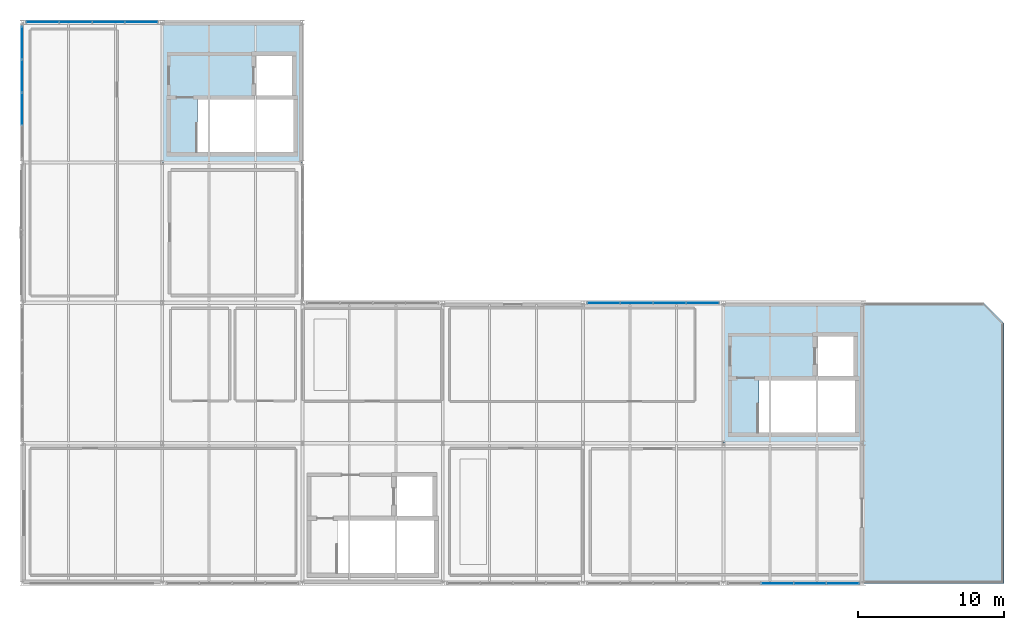
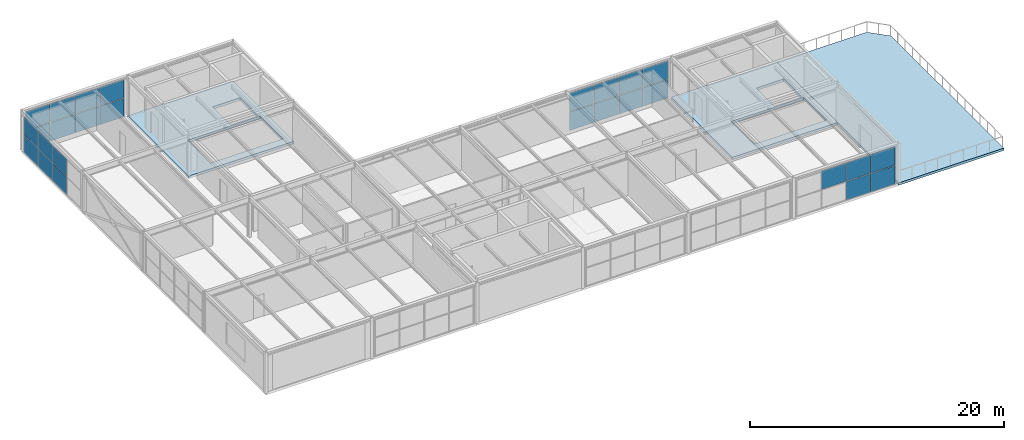
# One storey, part 29 of 33: 27 plates, 3 slabs, 4 elements without a shape of their own.
"""IFC4 building model written with IfcOpenShell, lengths in metres."""

from ifc_helpers import new_model, si_unit, direction, frame, origin, origin_2d, place, context, subcontext, project, spatial, polyline, rectangle, outline, extrude, material, layer, layer_set, type_object, element, aggregate, save


model = new_model("IFC4")

# Units and contexts
model_context = context("Model", 3, precision=1e-05, world=origin(), true_north=direction((0.0, 1.0)))
body_context = subcontext(model_context, "Body", "Model", "MODEL_VIEW")
ifc_project = project(units=[si_unit("LENGTHUNIT", "METRE"), si_unit("AREAUNIT", "SQUARE_METRE"), si_unit("VOLUMEUNIT", "CUBIC_METRE"), si_unit("PLANEANGLEUNIT", "RADIAN"), si_unit("MASSUNIT", "GRAM", prefix="KILO")], contexts=[model_context])

# Site, building, storey
site_placement = place(None, origin())
site = spatial("IfcSite", under=ifc_project, at=site_placement, CompositionType="ELEMENT")
building_placement = place(site_placement, origin())
building = spatial("IfcBuilding", under=site, at=building_placement, Name="Coralgate Yard Interchange", CompositionType="ELEMENT")
storey_placement = place(building_placement, frame((0.0, 0.0, 23.10009765625)))
storey = spatial("IfcBuildingStorey", under=building, at=storey_placement, Name="L05", CompositionType="ELEMENT", Elevation=23.10009765625)

# Curtain wall, plates
ifc_material_1 = material(Name="Anodised coastal aluminium and solar-control low-E glass", Category="aluminium")
curtain_wall_type = type_object("IfcCurtainWallType", Name="CW-CW-L05-A", PredefinedType="NOTDEFINED", material=ifc_material_1)
curtain_wall_1_placement = place(storey_placement, origin())
curtain_wall_1 = element("IfcCurtainWall", 1, at=curtain_wall_1_placement, inside=storey, type_object=curtain_wall_type, Name="L05 unitised curtain wall CW-L05-W-00-03", PredefinedType="NOTDEFINED")
ifc_material_2 = material(Name="Solar-control double-glazed low-E glass unit", Category="glass")
ifc_layer_1 = layer(ifc_material_2, 0.028076171875)
ifc_layer_set_1 = layer_set([ifc_layer_1], Name="Solar-control double-glazed low-E glass unit")
plate_type = type_object("IfcPlateType", Name="PLT-CP-28", PredefinedType="CURTAIN_PANEL", material=ifc_layer_set_1)
plate_1_placement = place(storey_placement, frame((0.0, 32.47509765625, 0.02490234375), z_axis=(0.0, 0.0, 1.0), x_axis=(0.0, 1.0, 0.0)))
plate_1 = element("IfcPlate", 2, at=plate_1_placement, type_object=plate_type, Name="CW-L05-W-00-03 solar-control glazing panel 2-1", PredefinedType="CURTAIN_PANEL", context=body_context, shape_type="SweptSolid", body=[
    extrude(rectangle(XDim=2.199951171875, YDim=0.028076171875, at=origin_2d()), origin(), (0.0, 0.0, 1.0), 1.681396484375),
])
plate_2_placement = place(storey_placement, frame((0.0, 32.47509765625, 1.75634765625), z_axis=(0.0, 0.0, 1.0), x_axis=(0.0, 1.0, 0.0)))
plate_2 = element("IfcPlate", 3, at=plate_2_placement, type_object=plate_type, Name="CW-L05-W-00-03 solar-control glazing panel 2-2", PredefinedType="CURTAIN_PANEL", context=body_context, shape_type="SweptSolid", body=[
    extrude(rectangle(XDim=2.199951171875, YDim=0.028076171875, at=origin_2d()), origin(), (0.0, 0.0, 1.0), 1.681396484375),
])
plate_3_placement = place(storey_placement, frame((0.0, 34.72509765625, 0.02490234375), z_axis=(0.0, 0.0, 1.0), x_axis=(0.0, 1.0, 0.0)))
plate_3 = element("IfcPlate", 4, at=plate_3_placement, type_object=plate_type, Name="CW-L05-W-00-03 solar-control glazing panel 3-1", PredefinedType="CURTAIN_PANEL", context=body_context, shape_type="SweptSolid", body=[
    extrude(rectangle(XDim=2.199951171875, YDim=0.028076171875, at=origin_2d()), origin(), (0.0, 0.0, 1.0), 1.681396484375),
])
plate_4_placement = place(storey_placement, frame((0.0, 34.72509765625, 1.75634765625), z_axis=(0.0, 0.0, 1.0), x_axis=(0.0, 1.0, 0.0)))
plate_4 = element("IfcPlate", 5, at=plate_4_placement, type_object=plate_type, Name="CW-L05-W-00-03 solar-control glazing panel 3-2", PredefinedType="CURTAIN_PANEL", context=body_context, shape_type="SweptSolid", body=[
    extrude(rectangle(XDim=2.199951171875, YDim=0.028076171875, at=origin_2d()), origin(), (0.0, 0.0, 1.0), 1.681396484375),
])
plate_5_placement = place(storey_placement, frame((0.0, 36.97509765625, 0.02490234375), z_axis=(0.0, 0.0, 1.0), x_axis=(0.0, 1.0, 0.0)))
plate_5 = element("IfcPlate", 6, at=plate_5_placement, type_object=plate_type, Name="CW-L05-W-00-03 solar-control glazing panel 4-1", PredefinedType="CURTAIN_PANEL", context=body_context, shape_type="SweptSolid", body=[
    extrude(rectangle(XDim=2.199951171875, YDim=0.028076171875, at=origin_2d()), origin(), (0.0, 0.0, 1.0), 1.681396484375),
])
plate_6_placement = place(storey_placement, frame((0.0, 36.97509765625, 1.75634765625), z_axis=(0.0, 0.0, 1.0), x_axis=(0.0, 1.0, 0.0)))
plate_6 = element("IfcPlate", 7, at=plate_6_placement, type_object=plate_type, Name="CW-L05-W-00-03 solar-control glazing panel 4-2", PredefinedType="CURTAIN_PANEL", context=body_context, shape_type="SweptSolid", body=[
    extrude(rectangle(XDim=2.199951171875, YDim=0.028076171875, at=origin_2d()), origin(), (0.0, 0.0, 1.0), 1.681396484375),
])
aggregate(curtain_wall_1, [plate_1, plate_2, plate_3, plate_4, plate_5, plate_6])

curtain_wall_2_placement = place(storey_placement, origin())
curtain_wall_2 = element("IfcCurtainWall", 8, at=curtain_wall_2_placement, inside=storey, type_object=curtain_wall_type, Name="L05 unitised curtain wall CW-L05-N-00-03", PredefinedType="NOTDEFINED")
plate_7_placement = place(storey_placement, frame((1.425048828125, 38.39990234375, 0.02490234375), z_axis=(0.0, 0.0, 1.0), x_axis=(1.0, 0.0, 0.0)))
plate_7 = element("IfcPlate", 9, at=plate_7_placement, type_object=plate_type, Name="CW-L05-N-00-03 solar-control glazing panel 1-1", PredefinedType="CURTAIN_PANEL", context=body_context, shape_type="SweptSolid", body=[
    extrude(rectangle(XDim=2.199951171875, YDim=0.028076171875, at=origin_2d()), origin(), (0.0, 0.0, 1.0), 1.764892578125),
])
plate_8_placement = place(storey_placement, frame((1.425048828125, 38.39990234375, 1.83984375), z_axis=(0.0, 0.0, 1.0), x_axis=(1.0, 0.0, 0.0)))
plate_8 = element("IfcPlate", 10, at=plate_8_placement, type_object=plate_type, Name="CW-L05-N-00-03 solar-control glazing panel 1-2", PredefinedType="CURTAIN_PANEL", context=body_context, shape_type="SweptSolid", body=[
    extrude(rectangle(XDim=2.199951171875, YDim=0.028076171875, at=origin_2d()), origin(), (0.0, 0.0, 1.0), 1.764892578125),
])
plate_9_placement = place(storey_placement, frame((3.675048828125, 38.39990234375, 0.02490234375), z_axis=(0.0, 0.0, 1.0), x_axis=(1.0, 0.0, 0.0)))
plate_9 = element("IfcPlate", 11, at=plate_9_placement, type_object=plate_type, Name="CW-L05-N-00-03 solar-control glazing panel 2-1", PredefinedType="CURTAIN_PANEL", context=body_context, shape_type="SweptSolid", body=[
    extrude(rectangle(XDim=2.199951171875, YDim=0.028076171875, at=origin_2d()), origin(), (0.0, 0.0, 1.0), 1.764892578125),
])
plate_10_placement = place(storey_placement, frame((3.675048828125, 38.39990234375, 1.83984375), z_axis=(0.0, 0.0, 1.0), x_axis=(1.0, 0.0, 0.0)))
plate_10 = element("IfcPlate", 12, at=plate_10_placement, type_object=plate_type, Name="CW-L05-N-00-03 solar-control glazing panel 2-2", PredefinedType="CURTAIN_PANEL", context=body_context, shape_type="SweptSolid", body=[
    extrude(rectangle(XDim=2.199951171875, YDim=0.028076171875, at=origin_2d()), origin(), (0.0, 0.0, 1.0), 1.764892578125),
])
plate_11_placement = place(storey_placement, frame((5.925048828125, 38.39990234375, 0.02490234375), z_axis=(0.0, 0.0, 1.0), x_axis=(1.0, 0.0, 0.0)))
plate_11 = element("IfcPlate", 13, at=plate_11_placement, type_object=plate_type, Name="CW-L05-N-00-03 solar-control glazing panel 3-1", PredefinedType="CURTAIN_PANEL", context=body_context, shape_type="SweptSolid", body=[
    extrude(rectangle(XDim=2.199951171875, YDim=0.028076171875, at=origin_2d()), origin(), (0.0, 0.0, 1.0), 1.764892578125),
])
plate_12_placement = place(storey_placement, frame((5.925048828125, 38.39990234375, 1.83984375), z_axis=(0.0, 0.0, 1.0), x_axis=(1.0, 0.0, 0.0)))
plate_12 = element("IfcPlate", 14, at=plate_12_placement, type_object=plate_type, Name="CW-L05-N-00-03 solar-control glazing panel 3-2", PredefinedType="CURTAIN_PANEL", context=body_context, shape_type="SweptSolid", body=[
    extrude(rectangle(XDim=2.199951171875, YDim=0.028076171875, at=origin_2d()), origin(), (0.0, 0.0, 1.0), 1.764892578125),
])
plate_13_placement = place(storey_placement, frame((8.175048828125, 38.39990234375, 0.02490234375), z_axis=(0.0, 0.0, 1.0), x_axis=(1.0, 0.0, 0.0)))
plate_13 = element("IfcPlate", 15, at=plate_13_placement, type_object=plate_type, Name="CW-L05-N-00-03 solar-control glazing panel 4-1", PredefinedType="CURTAIN_PANEL", context=body_context, shape_type="SweptSolid", body=[
    extrude(rectangle(XDim=2.199951171875, YDim=0.028076171875, at=origin_2d()), origin(), (0.0, 0.0, 1.0), 1.764892578125),
])
plate_14_placement = place(storey_placement, frame((8.175048828125, 38.39990234375, 1.83984375), z_axis=(0.0, 0.0, 1.0), x_axis=(1.0, 0.0, 0.0)))
plate_14 = element("IfcPlate", 16, at=plate_14_placement, type_object=plate_type, Name="CW-L05-N-00-03 solar-control glazing panel 4-2", PredefinedType="CURTAIN_PANEL", context=body_context, shape_type="SweptSolid", body=[
    extrude(rectangle(XDim=2.199951171875, YDim=0.028076171875, at=origin_2d()), origin(), (0.0, 0.0, 1.0), 1.764892578125),
])
aggregate(curtain_wall_2, [plate_7, plate_8, plate_9, plate_10, plate_11, plate_12, plate_13, plate_14])

curtain_wall_3_placement = place(storey_placement, origin())
curtain_wall_3 = element("IfcCurtainWall", 17, at=curtain_wall_3_placement, inside=storey, type_object=curtain_wall_type, Name="L05 unitised curtain wall CW-L05-N-04-01", PredefinedType="NOTDEFINED")
plate_15_placement = place(storey_placement, frame((39.824951171875, 19.199951171875, 0.02490234375), z_axis=(0.0, 0.0, 1.0), x_axis=(1.0, 0.0, 0.0)))
plate_15 = element("IfcPlate", 18, at=plate_15_placement, type_object=plate_type, Name="CW-L05-N-04-01 solar-control glazing panel 1-1", PredefinedType="CURTAIN_PANEL", context=body_context, shape_type="SweptSolid", body=[
    extrude(rectangle(XDim=2.199951171875, YDim=0.028076171875, at=origin_2d()), origin(), (0.0, 0.0, 1.0), 1.764892578125),
])
plate_16_placement = place(storey_placement, frame((39.824951171875, 19.199951171875, 1.83984375), z_axis=(0.0, 0.0, 1.0), x_axis=(1.0, 0.0, 0.0)))
plate_16 = element("IfcPlate", 19, at=plate_16_placement, type_object=plate_type, Name="CW-L05-N-04-01 solar-control glazing panel 1-2", PredefinedType="CURTAIN_PANEL", context=body_context, shape_type="SweptSolid", body=[
    extrude(rectangle(XDim=2.199951171875, YDim=0.028076171875, at=origin_2d()), origin(), (0.0, 0.0, 1.0), 1.764892578125),
])
plate_17_placement = place(storey_placement, frame((42.074951171875, 19.199951171875, 0.02490234375), z_axis=(0.0, 0.0, 1.0), x_axis=(1.0, 0.0, 0.0)))
plate_17 = element("IfcPlate", 20, at=plate_17_placement, type_object=plate_type, Name="CW-L05-N-04-01 solar-control glazing panel 2-1", PredefinedType="CURTAIN_PANEL", context=body_context, shape_type="SweptSolid", body=[
    extrude(rectangle(XDim=2.199951171875, YDim=0.028076171875, at=origin_2d()), origin(), (0.0, 0.0, 1.0), 1.764892578125),
])
plate_18_placement = place(storey_placement, frame((42.074951171875, 19.199951171875, 1.83984375), z_axis=(0.0, 0.0, 1.0), x_axis=(1.0, 0.0, 0.0)))
plate_18 = element("IfcPlate", 21, at=plate_18_placement, type_object=plate_type, Name="CW-L05-N-04-01 solar-control glazing panel 2-2", PredefinedType="CURTAIN_PANEL", context=body_context, shape_type="SweptSolid", body=[
    extrude(rectangle(XDim=2.199951171875, YDim=0.028076171875, at=origin_2d()), origin(), (0.0, 0.0, 1.0), 1.764892578125),
])
plate_19_placement = place(storey_placement, frame((44.324951171875, 19.199951171875, 0.02490234375), z_axis=(0.0, 0.0, 1.0), x_axis=(1.0, 0.0, 0.0)))
plate_19 = element("IfcPlate", 22, at=plate_19_placement, type_object=plate_type, Name="CW-L05-N-04-01 solar-control glazing panel 3-1", PredefinedType="CURTAIN_PANEL", context=body_context, shape_type="SweptSolid", body=[
    extrude(rectangle(XDim=2.199951171875, YDim=0.028076171875, at=origin_2d()), origin(), (0.0, 0.0, 1.0), 1.764892578125),
])
plate_20_placement = place(storey_placement, frame((44.324951171875, 19.199951171875, 1.83984375), z_axis=(0.0, 0.0, 1.0), x_axis=(1.0, 0.0, 0.0)))
plate_20 = element("IfcPlate", 23, at=plate_20_placement, type_object=plate_type, Name="CW-L05-N-04-01 solar-control glazing panel 3-2", PredefinedType="CURTAIN_PANEL", context=body_context, shape_type="SweptSolid", body=[
    extrude(rectangle(XDim=2.199951171875, YDim=0.028076171875, at=origin_2d()), origin(), (0.0, 0.0, 1.0), 1.764892578125),
])
plate_21_placement = place(storey_placement, frame((46.574951171875, 19.199951171875, 0.02490234375), z_axis=(0.0, 0.0, 1.0), x_axis=(1.0, 0.0, 0.0)))
plate_21 = element("IfcPlate", 24, at=plate_21_placement, type_object=plate_type, Name="CW-L05-N-04-01 solar-control glazing panel 4-1", PredefinedType="CURTAIN_PANEL", context=body_context, shape_type="SweptSolid", body=[
    extrude(rectangle(XDim=2.199951171875, YDim=0.028076171875, at=origin_2d()), origin(), (0.0, 0.0, 1.0), 1.764892578125),
])
plate_22_placement = place(storey_placement, frame((46.574951171875, 19.199951171875, 1.83984375), z_axis=(0.0, 0.0, 1.0), x_axis=(1.0, 0.0, 0.0)))
plate_22 = element("IfcPlate", 25, at=plate_22_placement, type_object=plate_type, Name="CW-L05-N-04-01 solar-control glazing panel 4-2", PredefinedType="CURTAIN_PANEL", context=body_context, shape_type="SweptSolid", body=[
    extrude(rectangle(XDim=2.199951171875, YDim=0.028076171875, at=origin_2d()), origin(), (0.0, 0.0, 1.0), 1.764892578125),
])
aggregate(curtain_wall_3, [plate_15, plate_16, plate_17, plate_18, plate_19, plate_20, plate_21, plate_22])

curtain_wall_4_placement = place(storey_placement, origin())
curtain_wall_4 = element("IfcCurtainWall", 26, at=curtain_wall_4_placement, inside=storey, type_object=curtain_wall_type, Name="L05 unitised curtain wall CW-L05-S-05-00", PredefinedType="NOTDEFINED")
plate_23_placement = place(storey_placement, frame((56.175048828125, 0.0, 0.02490234375), z_axis=(0.0, 0.0, 1.0), x_axis=(-1.0, 0.0, 0.0)))
plate_23 = element("IfcPlate", 27, at=plate_23_placement, type_object=plate_type, Name="CW-L05-S-05-00 solar-control glazing panel 1-1", PredefinedType="CURTAIN_PANEL", context=body_context, shape_type="SweptSolid", body=[
    extrude(rectangle(XDim=2.199951171875, YDim=0.028076171875, at=origin_2d()), origin(), (0.0, 0.0, 1.0), 1.764892578125),
])
plate_24_placement = place(storey_placement, frame((56.175048828125, 0.0, 1.83984375), z_axis=(0.0, 0.0, 1.0), x_axis=(-1.0, 0.0, 0.0)))
plate_24 = element("IfcPlate", 28, at=plate_24_placement, type_object=plate_type, Name="CW-L05-S-05-00 solar-control glazing panel 1-2", PredefinedType="CURTAIN_PANEL", context=body_context, shape_type="SweptSolid", body=[
    extrude(rectangle(XDim=2.199951171875, YDim=0.028076171875, at=origin_2d()), origin(), (0.0, 0.0, 1.0), 1.764892578125),
])
plate_25_placement = place(storey_placement, frame((53.925048828125, 0.0, 0.02490234375), z_axis=(0.0, 0.0, 1.0), x_axis=(-1.0, 0.0, 0.0)))
plate_25 = element("IfcPlate", 29, at=plate_25_placement, type_object=plate_type, Name="CW-L05-S-05-00 solar-control glazing panel 2-1", PredefinedType="CURTAIN_PANEL", context=body_context, shape_type="SweptSolid", body=[
    extrude(rectangle(XDim=2.199951171875, YDim=0.028076171875, at=origin_2d()), origin(), (0.0, 0.0, 1.0), 1.764892578125),
])
plate_26_placement = place(storey_placement, frame((53.925048828125, 0.0, 1.83984375), z_axis=(0.0, 0.0, 1.0), x_axis=(-1.0, 0.0, 0.0)))
plate_26 = element("IfcPlate", 30, at=plate_26_placement, type_object=plate_type, Name="CW-L05-S-05-00 solar-control glazing panel 2-2", PredefinedType="CURTAIN_PANEL", context=body_context, shape_type="SweptSolid", body=[
    extrude(rectangle(XDim=2.199951171875, YDim=0.028076171875, at=origin_2d()), origin(), (0.0, 0.0, 1.0), 1.764892578125),
])
plate_27_placement = place(storey_placement, frame((51.675048828125, 0.0, 1.83984375), z_axis=(0.0, 0.0, 1.0), x_axis=(-1.0, 0.0, 0.0)))
plate_27 = element("IfcPlate", 31, at=plate_27_placement, type_object=plate_type, Name="CW-L05-S-05-00 solar-control glazing panel 3-2", PredefinedType="CURTAIN_PANEL", context=body_context, shape_type="SweptSolid", body=[
    extrude(rectangle(XDim=2.199951171875, YDim=0.028076171875, at=origin_2d()), origin(), (0.0, 0.0, 1.0), 1.764892578125),
])
aggregate(curtain_wall_4, [plate_23, plate_24, plate_25, plate_26, plate_27])

# Slabs
ifc_material_3 = material(Name="Concrete C40/50", Category="concrete")
ifc_layer_2 = layer(ifc_material_3, 0.25)
ifc_layer_set_2 = layer_set([ifc_layer_2], Name="Concrete C40/50")
slab_type_1 = type_object("IfcSlabType", Name="SLB-SL-FLR250", PredefinedType="FLOOR", material=ifc_layer_set_2)
slab_1_placement = place(storey_placement, frame((0.0, 0.0, -0.25)))
element("IfcSlab", 32, at=slab_1_placement, inside=storey, type_object=slab_type_1, Name="L05 core C1 structural floor slab", PredefinedType="FLOOR", context=body_context, shape_type="SweptSolid", body=[
    extrude(outline(polyline([(19.199951171875, 38.39990234375), (19.199951171875, 28.800048828125), (9.60009765625, 28.800048828125), (9.60009765625, 38.39990234375), (19.199951171875, 38.39990234375)]), holes=[polyline([(18.60009765625, 33.110107421875), (12.02001953125, 33.110107421875), (12.02001953125, 29.52001953125), (18.60009765625, 29.52001953125), (18.60009765625, 33.110107421875)]), polyline([(18.5, 33.25), (18.5, 36.10009765625), (16.0, 36.10009765625), (16.0, 33.25), (18.5, 33.25)])]), origin(), (0.0, 0.0, 1.0), 0.25),
])
slab_2_placement = place(storey_placement, frame((0.0, 0.0, -0.25)))
element("IfcSlab", 33, at=slab_2_placement, inside=storey, type_object=slab_type_1, Name="L05 core C2 structural floor slab", PredefinedType="FLOOR", context=body_context, shape_type="SweptSolid", body=[
    extrude(outline(polyline([(57.60009765625, 19.199951171875), (57.60009765625, 9.60009765625), (48.0, 9.60009765625), (48.0, 19.199951171875), (57.60009765625, 19.199951171875)]), holes=[polyline([(57.0, 13.909912109375), (50.419921875, 13.909912109375), (50.419921875, 10.320068359375), (57.0, 10.320068359375), (57.0, 13.909912109375)]), polyline([(56.89990234375, 14.050048828125), (56.89990234375, 16.89990234375), (54.39990234375, 16.89990234375), (54.39990234375, 14.050048828125), (56.89990234375, 14.050048828125)])]), origin(), (0.0, 0.0, 1.0), 0.25),
])
ifc_layer_3 = layer(ifc_material_3, 0.22998046875)
ifc_layer_set_3 = layer_set([ifc_layer_3], Name="Concrete C40/50")
slab_type_2 = type_object("IfcSlabType", Name="SLB-SL-TER230", PredefinedType="FLOOR", material=ifc_layer_set_3)
slab_3_placement = place(storey_placement, frame((0.0, 0.0, -0.22998046875)))
element("IfcSlab", 34, at=slab_3_placement, inside=storey, type_object=slab_type_2, Name="L05 shaded coastal veranda terrace slab", PredefinedType="FLOOR", context=body_context, shape_type="SweptSolid", body=[
    extrude(outline(polyline([(57.60009765625, 0.0), (57.60009765625, 9.60009765625), (57.60009765625, 19.199951171875), (65.800048828125, 19.199951171875), (67.199951171875, 17.800048828125), (67.199951171875, 9.60009765625), (67.199951171875, 0.0), (57.60009765625, 0.0)])), origin(), (0.0, 0.0, 1.0), 0.22998046875),
])

save(model, "model.ifc")
